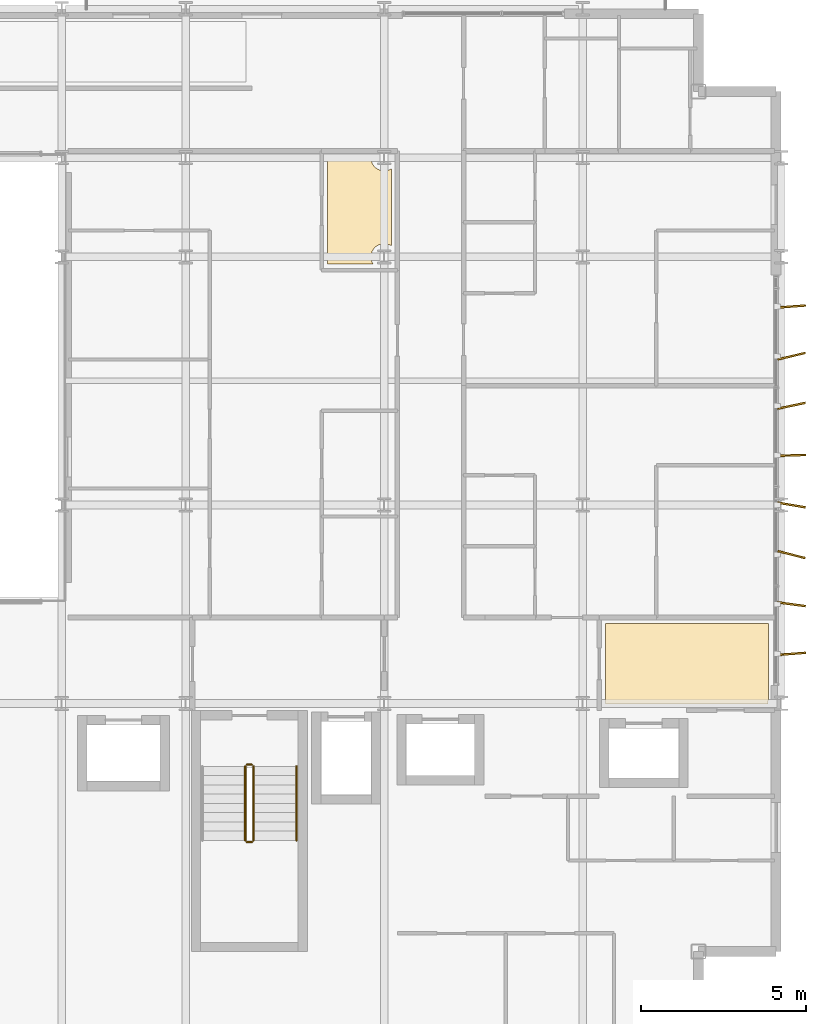
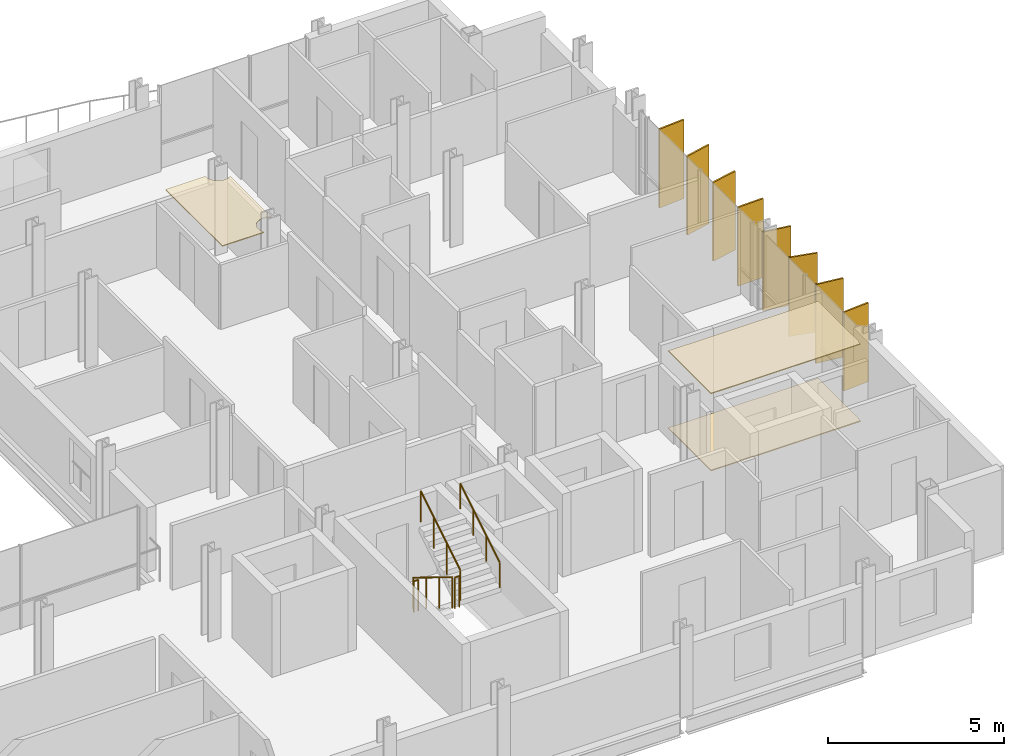
# One storey, part 38 of 39: 8 shading devices, 5 railings, 3 coverings.
"""IFC4 building model written with IfcOpenShell, lengths in metres."""

from ifc_helpers import new_model, si_unit, direction, frame, origin, origin_2d, place, context, subcontext, project, spatial, polyline, rectangle, circle, outline, extrude, material, layer, layer_set, type_object, element, save


model = new_model("IFC4")

# Units and contexts
model_context = context("Model", 3, precision=1e-05, world=origin(), true_north=direction((0.0, 1.0)))
body_context = subcontext(model_context, "Body", "Model", "MODEL_VIEW")
ifc_project = project(units=[si_unit("LENGTHUNIT", "METRE"), si_unit("AREAUNIT", "SQUARE_METRE"), si_unit("VOLUMEUNIT", "CUBIC_METRE"), si_unit("PLANEANGLEUNIT", "RADIAN"), si_unit("MASSUNIT", "GRAM", prefix="KILO")], contexts=[model_context])

# Site, building, storey
site_placement = place(None, origin())
site = spatial("IfcSite", under=ifc_project, at=site_placement, CompositionType="ELEMENT")
building_placement = place(site_placement, origin())
building = spatial("IfcBuilding", under=site, at=building_placement, Name="Brevholm Reach", CompositionType="ELEMENT")
storey_placement = place(building_placement, frame((0.0, 0.0, 115.89990234375)))
storey = spatial("IfcBuildingStorey", under=building, at=storey_placement, Name="L34", CompositionType="ELEMENT", Elevation=115.89990234375)

# Coverings
ifc_material_1 = material(Name="Moisture-Resistant Skimmed Gypsum Plasterboard Ceiling", Category="gypsum")
ifc_layer_1 = layer(ifc_material_1, 0.030029296875)
ifc_layer_set_1 = layer_set([ifc_layer_1], Name="Moisture-Resistant Skimmed Gypsum Plasterboard Ceiling")
covering_type_1 = type_object("IfcCoveringType", Name="COV-CLG-GYP", PredefinedType="CEILING", material=ifc_layer_set_1)
covering_1_placement = place(storey_placement, frame((0.0, 0.0, 2.68017578125)))
element("IfcCovering", 1, at=covering_1_placement, inside=storey, type_object=covering_type_1, Name="L34 Suspended Ceiling L34-31", PredefinedType="CEILING", context=body_context, shape_type="SweptSolid", body=[
    extrude(outline(polyline([(59.6201171875, 12.419921875), (59.6201171875, 10.123779296875), (59.6171875, 10.1162109375), (59.607666015625, 10.077880859375), (59.601806640625, 10.039306640625), (59.60009765625, 10.0), (59.60107421875, 9.97998046875), (54.68408203125, 9.97998046875), (54.68408203125, 12.419921875), (59.6201171875, 12.419921875)])), origin(), (0.0, 0.0, 1.0), 0.030029296875),
])
covering_2_placement = place(storey_placement, frame((0.0, 0.0, 2.68017578125)))
element("IfcCovering", 2, at=covering_2_placement, inside=storey, type_object=covering_type_1, Name="L34 Suspended Ceiling L34-56", PredefinedType="CEILING", context=body_context, shape_type="SweptSolid", body=[
    extrude(outline(polyline([(46.2919921875, 26.51611328125), (47.600830078125, 26.51611328125), (47.60009765625, 26.5), (47.601806640625, 26.460693359375), (47.607666015625, 26.422119140625), (47.6171875, 26.3837890625), (47.63037109375, 26.346923828125), (47.647216796875, 26.311279296875), (47.66748046875, 26.27783203125), (47.69091796875, 26.24609375), (47.71728515625, 26.21728515625), (47.74609375, 26.19091796875), (47.77783203125, 26.16748046875), (47.811279296875, 26.147216796875), (47.846923828125, 26.13037109375), (47.8837890625, 26.1171875), (47.922119140625, 26.107666015625), (47.960693359375, 26.101806640625), (48.0, 26.10009765625), (48.039306640625, 26.101806640625), (48.077880859375, 26.107666015625), (48.1162109375, 26.1171875), (48.153076171875, 26.13037109375), (48.188720703125, 26.147216796875), (48.216064453125, 26.163818359375), (48.216064453125, 23.836181640625), (48.188720703125, 23.852783203125), (48.153076171875, 23.86962890625), (48.1162109375, 23.8828125), (48.077880859375, 23.892333984375), (48.039306640625, 23.898193359375), (48.0, 23.89990234375), (47.960693359375, 23.898193359375), (47.922119140625, 23.892333984375), (47.8837890625, 23.8828125), (47.846923828125, 23.86962890625), (47.811279296875, 23.852783203125), (47.77783203125, 23.83251953125), (47.74609375, 23.80908203125), (47.71728515625, 23.78271484375), (47.69091796875, 23.75390625), (47.66748046875, 23.72216796875), (47.647216796875, 23.688720703125), (47.63037109375, 23.653076171875), (47.6171875, 23.6162109375), (47.607666015625, 23.577880859375), (47.601806640625, 23.539306640625), (47.60009765625, 23.5), (47.601806640625, 23.460693359375), (47.607666015625, 23.422119140625), (47.6171875, 23.3837890625), (47.63037109375, 23.346923828125), (47.647216796875, 23.311279296875), (47.666015625, 23.280029296875), (46.2919921875, 23.280029296875), (46.2919921875, 26.51611328125)])), origin(), (0.0, 0.0, 1.0), 0.030029296875),
])
ifc_material_2 = material(Name="Honed Portland-Aggregate Resin Terrazzo Flooring", Category="concrete")
ifc_layer_2 = layer(ifc_material_2, 0.031982421875)
ifc_layer_set_2 = layer_set([ifc_layer_2], Name="Honed Portland-Aggregate Resin Terrazzo Flooring")
covering_type_2 = type_object("IfcCoveringType", Name="COV-FLR-TRZ", PredefinedType="FLOORING", material=ifc_layer_set_2)
covering_3_placement = place(storey_placement, origin())
element("IfcCovering", 3, at=covering_3_placement, inside=storey, type_object=covering_type_2, Name="L34 Floor Finish L34-31", PredefinedType="FLOORING", context=body_context, shape_type="SweptSolid", body=[
    extrude(outline(polyline([(59.6201171875, 12.419921875), (59.6201171875, 10.123779296875), (59.6171875, 10.1162109375), (59.607666015625, 10.077880859375), (59.601806640625, 10.039306640625), (59.60009765625, 10.0), (59.60107421875, 9.97998046875), (54.68408203125, 9.97998046875), (54.68408203125, 12.419921875), (59.6201171875, 12.419921875)])), origin(), (0.0, 0.0, 1.0), 0.031982421875),
])

# Railings
ifc_material_3 = material(Name="Brushed Stainless Steel EN 1.4401 Continuous Handrail", Category="steel")
railing_type_1 = type_object("IfcRailingType", Name="RAL-HND-950", PredefinedType="HANDRAIL", material=ifc_material_3)
railing_1_placement = place(storey_placement, frame((45.35009765625, 5.860107421875, 1.722412109375)))
element("IfcRailing", 4, at=railing_1_placement, inside=storey, type_object=railing_type_1, Name="L34 ST-2 stair handrail 2", PredefinedType="HANDRAIL", context=body_context, shape_type="SweptSolid", body=[
    extrude(circle(Radius=0.02392578125, at=origin_2d()), frame((0.0, 0.0, 0.8857421875), z_axis=(0.0, 0.85178898068, 0.523885037382), x_axis=(-1.0, 0.0, 0.0)), (0.0, 0.0, 1.0), 2.629638671875),
    extrude(circle(Radius=0.02099609375, at=origin_2d()), origin(), (0.0, 0.0, 1.0), 0.86181640625),
    extrude(circle(Radius=0.02099609375, at=origin_2d()), frame((0.0, 0.74658203125, 0.459228515625)), (0.0, 0.0, 1.0), 0.86181640625),
    extrude(circle(Radius=0.02099609375, at=origin_2d()), frame((0.0, 1.493408203125, 0.91845703125)), (0.0, 0.0, 1.0), 0.86181640625),
    extrude(circle(Radius=0.02099609375, at=origin_2d()), frame((0.0, 2.239990234375, 1.377685546875)), (0.0, 0.0, 1.0), 0.86181640625),
])
ifc_material_4 = material(Name="Painted Tubular Galvanised Steel S275JR Stair Guard", Category="steel")
railing_type_2 = type_object("IfcRailingType", Name="RAL-STG-1120", PredefinedType="BALUSTRADE", material=ifc_material_4)
railing_2_placement = place(storey_placement, frame((43.800048828125, 8.10009765625, 0.17236328125)))
element("IfcRailing", 5, at=railing_2_placement, inside=storey, type_object=railing_type_2, Name="L34 ST-2 stair guard 1", PredefinedType="BALUSTRADE", context=body_context, shape_type="SweptSolid", body=[
    extrude(circle(Radius=0.02392578125, at=origin_2d()), frame((0.0, 0.0, 1.076171875), z_axis=(0.0, -0.85178898068, 0.523885037382), x_axis=(1.0, 0.0, 0.0)), (0.0, 0.0, 1.0), 2.629638671875),
    extrude(circle(Radius=0.02099609375, at=origin_2d()), origin(), (0.0, 0.0, 1.0), 1.052001953125),
    extrude(circle(Radius=0.02099609375, at=origin_2d()), frame((0.0, -0.74658203125, 0.459228515625)), (0.0, 0.0, 1.0), 1.052001953125),
    extrude(circle(Radius=0.02099609375, at=origin_2d()), frame((0.0, -1.493408203125, 0.91845703125)), (0.0, 0.0, 1.0), 1.052001953125),
    extrude(circle(Radius=0.02099609375, at=origin_2d()), frame((0.0, -2.239990234375, 1.377685546875)), (0.0, 0.0, 1.0), 1.052001953125),
])
railing_3_placement = place(storey_placement, frame((43.85009765625, 5.81005859375, 1.550048828125)))
element("IfcRailing", 6, at=railing_3_placement, inside=storey, type_object=railing_type_2, Name="L34 ST-2 stair guard 2", PredefinedType="BALUSTRADE", context=body_context, shape_type="SweptSolid", body=[
    extrude(circle(Radius=0.02392578125, at=origin_2d()), frame((0.0, 0.0, 1.076171875), z_axis=(1.0, 0.0, 0.0), x_axis=(0.0, 1.0, 0.0)), (0.0, 0.0, 1.0), 0.14990234375),
    extrude(circle(Radius=0.02099609375, at=origin_2d()), origin(), (0.0, 0.0, 1.0), 1.052001953125),
    extrude(circle(Radius=0.02099609375, at=origin_2d()), frame((0.14990234375, 0.0, 0.0)), (0.0, 0.0, 1.0), 1.052001953125),
])
railing_4_placement = place(storey_placement, frame((44.050048828125, 5.860107421875, 1.722412109375)))
element("IfcRailing", 7, at=railing_4_placement, inside=storey, type_object=railing_type_2, Name="L34 ST-2 stair guard 3", PredefinedType="BALUSTRADE", context=body_context, shape_type="SweptSolid", body=[
    extrude(circle(Radius=0.02392578125, at=origin_2d()), frame((0.0, 0.0, 1.076171875), z_axis=(0.0, 0.85178898068, 0.523885037382), x_axis=(-1.0, 0.0, 0.0)), (0.0, 0.0, 1.0), 2.629638671875),
    extrude(circle(Radius=0.02099609375, at=origin_2d()), origin(), (0.0, 0.0, 1.0), 1.052001953125),
    extrude(circle(Radius=0.02099609375, at=origin_2d()), frame((0.0, 0.74658203125, 0.459228515625)), (0.0, 0.0, 1.0), 1.052001953125),
    extrude(circle(Radius=0.02099609375, at=origin_2d()), frame((0.0, 1.493408203125, 0.91845703125)), (0.0, 0.0, 1.0), 1.052001953125),
    extrude(circle(Radius=0.02099609375, at=origin_2d()), frame((0.0, 2.239990234375, 1.377685546875)), (0.0, 0.0, 1.0), 1.052001953125),
])
railing_5_placement = place(storey_placement, frame((43.85009765625, 8.14990234375, 0.0)))
element("IfcRailing", 8, at=railing_5_placement, inside=storey, type_object=railing_type_2, Name="L34 ST-2 stair guard 4", PredefinedType="BALUSTRADE", context=body_context, shape_type="SweptSolid", body=[
    extrude(circle(Radius=0.02392578125, at=origin_2d()), frame((0.0, 0.0, 1.076171875), z_axis=(1.0, 0.0, 0.0), x_axis=(0.0, 1.0, 0.0)), (0.0, 0.0, 1.0), 0.14990234375),
    extrude(circle(Radius=0.02099609375, at=origin_2d()), origin(), (0.0, 0.0, 1.0), 1.052001953125),
    extrude(circle(Radius=0.02099609375, at=origin_2d()), frame((0.14990234375, 0.0, 0.0)), (0.0, 0.0, 1.0), 1.052001953125),
])

# Shading devices
ifc_material_5 = material(Name="Perforated Champagne-Bronze Anodised Aluminium", Category="aluminium")
ifc_layer_3 = layer(ifc_material_5, 0.054931640625)
ifc_layer_set_3 = layer_set([ifc_layer_3], Name="Perforated Champagne-Bronze Anodised Aluminium")
shading_device_type = type_object("IfcShadingDeviceType", Name="SHD-FIN-850", PredefinedType="USERDEFINED", material=ifc_layer_set_3)
for number, where, z_axis, x_axis, name in (
    (9, (60.31494140625, 11.5, 0.0703125), (0.0, 0.0, 1.0), (0.997111374205, 0.075953324033, 0.0), "L34 Perforated Solar Screen Fin 1"),
    (10, (60.31494140625, 13.0, 0.0703125), (0.0, 0.0, 1.0), (0.991013574708, -0.133761335016, 0.0), "L34 Perforated Solar Screen Fin 2"),
    (11, (60.31494140625, 14.5, 0.0703125), (0.0, 0.0, 1.0), (0.970544329477, -0.240922611059, 0.0), "L34 Perforated Solar Screen Fin 3"),
    (12, (60.31494140625, 16.0, 0.0703125), (0.0, 0.0, 1.0), (0.985712289821, -0.168437768021, 0.0), "L34 Perforated Solar Screen Fin 4"),
    (13, (60.31494140625, 17.5, 0.0703125), (0.0, 0.0, 1.0), (0.999479332019, 0.032265536826, 0.0), "L34 Perforated Solar Screen Fin 5"),
    (14, (60.31494140625, 19.0, 0.0703125), (0.0, 0.0, 1.0), (0.978140342651, 0.207945834483, 0.0), "L34 Perforated Solar Screen Fin 6"),
    (15, (60.31494140625, 20.5, 0.0703125), (0.0, 0.0, 1.0), (0.973904714608, 0.226957279821, 0.0), "L34 Perforated Solar Screen Fin 7"),
    (16, (60.31494140625, 22.0, 0.0703125), (0.0, 0.0, 1.0), (0.997111374205, 0.075953324033, 0.0), "L34 Perforated Solar Screen Fin 8"),
):
    element("IfcShadingDevice", number, at=place(storey_placement, frame(where, z_axis=z_axis, x_axis=x_axis)), inside=storey, type_object=shading_device_type, Name=name, ObjectType="SCREEN", PredefinedType="USERDEFINED", context=body_context, shape_type="SweptSolid", body=[
        extrude(rectangle(XDim=0.85009765625, YDim=0.054931640625, at=origin_2d()), origin(), (0.0, 0.0, 1.0), 2.739990234375),
    ])

save(model, "model.ifc")
